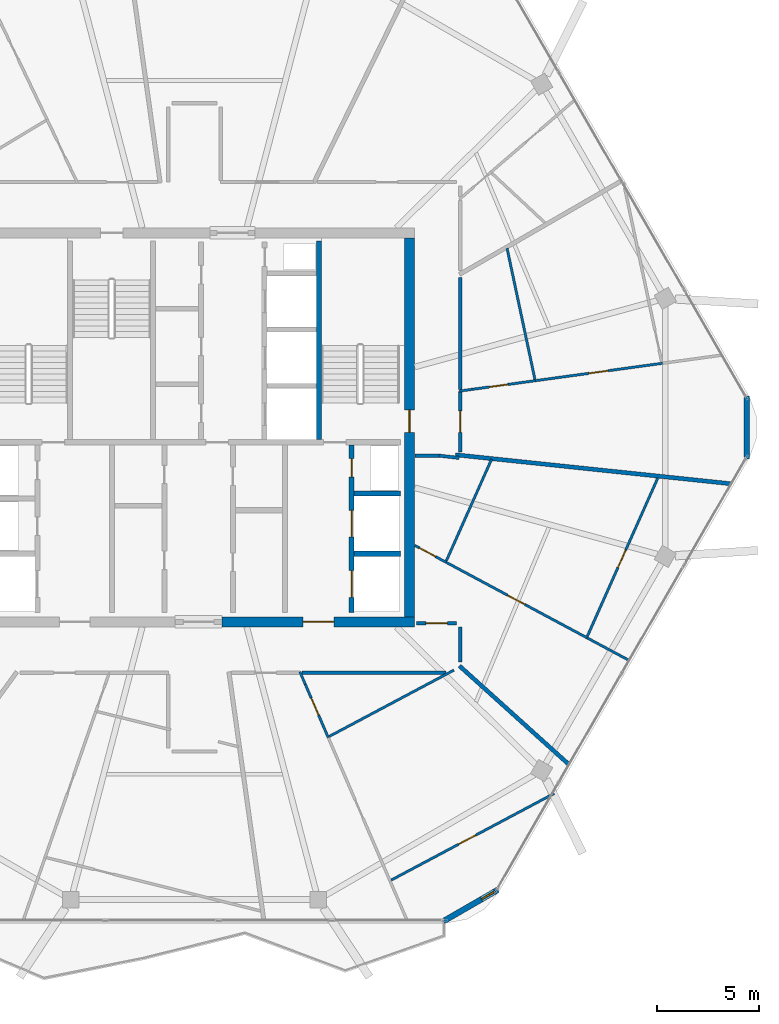
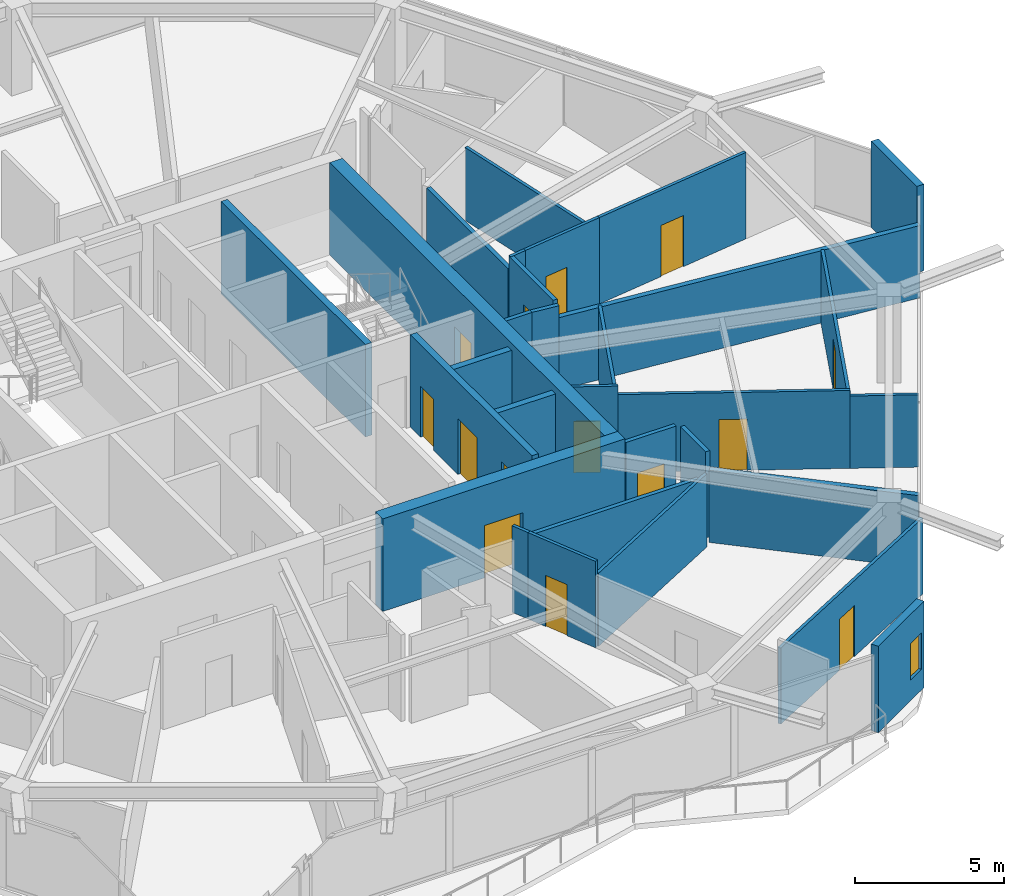
# One storey, part 16 of 20: 30 walls, 14 doors, 1 window, 15 openings.
"""IFC4 building model written with IfcOpenShell, lengths in metres."""

from ifc_helpers import new_model, si_unit, direction, frame, frame_2d, origin, place, context, subcontext, project, spatial, rectangle, extrude, material, layer, layer_set, type_object, element, fill, save


model = new_model("IFC4")

# Units and contexts
model_context = context("Model", 3, precision=1e-05, world=origin(), true_north=direction((0.0, 1.0)))
body_context = subcontext(model_context, "Body", "Model", "MODEL_VIEW")
ifc_project = project(units=[si_unit("LENGTHUNIT", "METRE"), si_unit("AREAUNIT", "SQUARE_METRE"), si_unit("VOLUMEUNIT", "CUBIC_METRE"), si_unit("PLANEANGLEUNIT", "RADIAN"), si_unit("MASSUNIT", "GRAM", prefix="KILO")], contexts=[model_context])

# Site, building, storey
site_placement = place(None, origin())
site = spatial("IfcSite", under=ifc_project, at=site_placement, CompositionType="ELEMENT")
building_placement = place(site_placement, origin())
building = spatial("IfcBuilding", under=site, at=building_placement, Name="Zuhravey Tower", CompositionType="ELEMENT")
storey_placement = place(building_placement, frame((0.0, 0.0, 312.0)))
storey = spatial("IfcBuildingStorey", under=building, at=storey_placement, Name="L79", CompositionType="ELEMENT", Elevation=312.0)

# Wall, opening, door
ifc_material_1 = material(Name="Concrete C50/60", Category="concrete")
ifc_layer_1 = layer(ifc_material_1, 0.5)
ifc_layer_set_1 = layer_set([ifc_layer_1], Name="Concrete C50/60")
wall_type_1 = type_object("IfcWallType", Name="Core Shear Wall 500", PredefinedType="SHEAR", material=ifc_layer_set_1)
wall_1_placement = place(storey_placement, frame((37.35009765625, 22.5, 0.0), z_axis=(0.0, 0.0, 1.0), x_axis=(1.0, 0.0, 0.0)))
wall_1 = element("IfcWall", 1, at=wall_1_placement, inside=storey, type_object=wall_type_1, Name="L79 South-East Core Shear Wall CW50", PredefinedType="SHEAR", context=body_context, shape_type="SweptSolid", body=[
    extrude(rectangle(XDim=9.39990234375, YDim=0.5, at=frame_2d((4.699951171875, 0.0))), origin(), (0.0, 0.0, 1.0), 3.800048828125),
])
opening_1_placement = place(wall_1_placement, frame((3.949951171875, 0.0, 0.0)))
opening_1 = element("IfcOpeningElement", 2, at=opening_1_placement, cuts=wall_1, Name="Opening FFD1", PredefinedType="OPENING", context=body_context, shape_type="SweptSolid", body=[
    extrude(rectangle(XDim=1.5, YDim=2.14990234375, at=frame_2d((0.75, 1.074951171875))), frame((0.0, 0.261962890625, 0.0), z_axis=(0.0, -1.0, 0.0), x_axis=(1.0, 0.0, 0.0)), (0.0, 0.0, 1.0), 0.52392578125),
])
ifc_material_2 = material(Name="Galvanised fire-rated steel leaf", Category="steel")
door_type_1 = type_object("IfcDoorType", Name="Firefighting Lobby Double Door 1500x2150", OperationType="DOUBLE_DOOR_SINGLE_SWING", PredefinedType="DOOR", material=ifc_material_2)
door_1_placement = place(opening_1_placement, origin())
door_1 = element("IfcDoor", 3, at=door_1_placement, inside=storey, type_object=door_type_1, Name="L79 Firefighting Lobby East Door", OperationType="DOUBLE_DOOR_SINGLE_SWING", OverallHeight=2.14990234375, OverallWidth=1.5, PredefinedType="DOOR", context=body_context, shape_type="SweptSolid", body=[
    extrude(rectangle(XDim=1.5, YDim=2.14990234375, at=frame_2d((0.75, 1.074951171875))), frame((0.0, 0.02490234375, 0.0), z_axis=(0.0, -1.0, 0.0), x_axis=(1.0, 0.0, 0.0)), (0.0, 0.0, 1.0), 0.050048828125),
])
fill(opening_1, door_1)

wall_2_placement = place(storey_placement, frame((46.5, 22.75, 0.0), z_axis=(0.0, 0.0, 1.0), x_axis=(0.0, 1.0, 0.0)))
wall_2 = element("IfcWall", 4, at=wall_2_placement, inside=storey, type_object=wall_type_1, Name="L79 East Core Shear Wall CW50", PredefinedType="SHEAR", context=body_context, shape_type="SweptSolid", body=[
    extrude(rectangle(XDim=18.5, YDim=0.5, at=frame_2d((9.25, 0.0))), origin(), (0.0, 0.0, 1.0), 3.800048828125),
])
opening_2_placement = place(wall_2_placement, frame((9.0, 0.0, 0.0)))
opening_2 = element("IfcOpeningElement", 5, at=opening_2_placement, cuts=wall_2, Name="Opening STD1", PredefinedType="OPENING", context=body_context, shape_type="SweptSolid", body=[
    extrude(rectangle(XDim=1.10009765625, YDim=2.14990234375, at=frame_2d((0.550048828125, 1.074951171875))), frame((0.0, 0.261962890625, 0.0), z_axis=(0.0, -1.0, 0.0), x_axis=(1.0, 0.0, 0.0)), (0.0, 0.0, 1.0), 0.52392578125),
])
door_type_2 = type_object("IfcDoorType", Name="Protected Stair Fire Door 1100x2150", OperationType="NOTDEFINED", PredefinedType="USERDEFINED", material=ifc_material_2)
door_2_placement = place(opening_2_placement, origin())
door_2 = element("IfcDoor", 6, at=door_2_placement, inside=storey, type_object=door_type_2, Name="L79 Stair ST2 Door", ObjectType="EXITDOOR", OperationType="SINGLE_SWING_RIGHT", OverallHeight=2.14990234375, OverallWidth=1.10009765625, PredefinedType="USERDEFINED", context=body_context, shape_type="SweptSolid", body=[
    extrude(rectangle(XDim=1.10009765625, YDim=2.14990234375, at=frame_2d((0.550048828125, 1.074951171875))), frame((0.0, 0.02490234375, 0.0), z_axis=(0.0, -1.0, 0.0), x_axis=(1.0, 0.0, 0.0)), (0.0, 0.0, 1.0), 0.050048828125),
])
fill(opening_2, door_2)

ifc_material_3 = material(Name="Gypsum fire-rated stud partition")
ifc_layer_2 = layer(ifc_material_3, 0.159912109375)
ifc_layer_set_2 = layer_set([ifc_layer_2], Name="Gypsum fire-rated stud partition")
wall_type_2 = type_object("IfcWallType", Name="Corridor Fire Partition 160", PredefinedType="PARTITIONING", material=ifc_layer_set_2)
wall_3_placement = place(storey_placement, frame((48.800048828125, 22.429931640625, 0.0), z_axis=(0.0, 0.0, 1.0), x_axis=(-1.0, 0.0, 0.0)))
wall_3 = element("IfcWall", 7, at=wall_3_placement, inside=storey, type_object=wall_type_2, Name="L79 IW16 Partition 043", PredefinedType="PARTITIONING", context=body_context, shape_type="SweptSolid", body=[
    extrude(rectangle(XDim=1.952880859375, YDim=0.159912109375, at=frame_2d((0.9765625, 0.0))), origin(), (0.0, 0.0, 1.0), 3.550048828125),
])
opening_3_placement = place(wall_3_placement, frame((0.451416015625, 0.0, 0.0)))
opening_3 = element("IfcOpeningElement", 8, at=opening_3_placement, cuts=wall_3, Name="Opening APD1", PredefinedType="OPENING", context=body_context, shape_type="SweptSolid", body=[
    extrude(rectangle(XDim=1.050048828125, YDim=2.14990234375, at=frame_2d((0.52490234375, 1.074951171875))), frame((0.0, 0.092041015625, 0.0), z_axis=(0.0, -1.0, 0.0), x_axis=(1.0, 0.0, 0.0)), (0.0, 0.0, 1.0), 0.183837890625),
])
ifc_material_4 = material(Name="Solid-core oak fire-rated leaf")
door_type_3 = type_object("IfcDoorType", Name="Apartment Entrance Fire Door 1050x2150", OperationType="NOTDEFINED", PredefinedType="DOOR", material=ifc_material_4)
door_3_placement = place(opening_3_placement, origin())
door_3 = element("IfcDoor", 9, at=door_3_placement, inside=storey, type_object=door_type_3, Name="L79 Door 043.1", OperationType="SINGLE_SWING_LEFT", OverallHeight=2.14990234375, OverallWidth=1.050048828125, PredefinedType="DOOR", context=body_context, shape_type="SweptSolid", body=[
    extrude(rectangle(XDim=1.050048828125, YDim=2.14990234375, at=frame_2d((0.52490234375, 1.074951171875))), frame((0.0, 0.02490234375, 0.0), z_axis=(0.0, -1.0, 0.0), x_axis=(1.0, 0.0, 0.0)), (0.0, 0.0, 1.0), 0.050048828125),
])
fill(opening_3, door_3)

wall_4_placement = place(storey_placement, frame((48.97998046875, 30.800048828125, 0.0), z_axis=(0.0, 0.0, 1.0), x_axis=(0.0, 1.0, 0.0)))
wall_4 = element("IfcWall", 10, at=wall_4_placement, inside=storey, type_object=wall_type_2, Name="L79 IW16 Partition 047", PredefinedType="PARTITIONING", context=body_context, shape_type="SweptSolid", body=[
    extrude(rectangle(XDim=2.957763671875, YDim=0.159912109375, at=frame_2d((1.47900390625, 0.0))), origin(), (0.0, 0.0, 1.0), 3.550048828125),
])
opening_4_placement = place(wall_4_placement, frame((0.953857421875, 0.0, 0.0)))
opening_4 = element("IfcOpeningElement", 11, at=opening_4_placement, cuts=wall_4, Name="Opening APD1", PredefinedType="OPENING", context=body_context, shape_type="SweptSolid", body=[
    extrude(rectangle(XDim=1.050048828125, YDim=2.14990234375, at=frame_2d((0.52490234375, 1.074951171875))), frame((0.0, 0.092041015625, 0.0), z_axis=(0.0, -1.0, 0.0), x_axis=(1.0, 0.0, 0.0)), (0.0, 0.0, 1.0), 0.183837890625),
])
door_4_placement = place(opening_4_placement, frame((1.050048828125, 0.0, 0.0), z_axis=(0.0, 0.0, 1.0), x_axis=(-1.0, 0.0, 0.0)))
door_4 = element("IfcDoor", 12, at=door_4_placement, inside=storey, type_object=door_type_3, Name="L79 Door 047.1", OperationType="SINGLE_SWING_LEFT", OverallHeight=2.14990234375, OverallWidth=1.050048828125, PredefinedType="DOOR", context=body_context, shape_type="SweptSolid", body=[
    extrude(rectangle(XDim=1.050048828125, YDim=2.14990234375, at=frame_2d((0.52490234375, 1.074951171875))), frame((0.0, 0.02490234375, 0.0), z_axis=(0.0, -1.0, 0.0), x_axis=(1.0, 0.0, 0.0)), (0.0, 0.0, 1.0), 0.050048828125),
])
fill(opening_4, door_4)

# Walls
wall_5_placement = place(storey_placement, frame((41.23828125, 20.02001953125, 0.0), z_axis=(0.0, 0.0, 1.0), x_axis=(1.0, 0.0, 0.0)))
element("IfcWall", 13, at=wall_5_placement, inside=storey, type_object=wall_type_2, Name="L79 IW16 Partition 107", PredefinedType="PARTITIONING", context=body_context, shape_type="SweptSolid", body=[
    extrude(rectangle(XDim=7.054931640625, YDim=0.159912109375, at=frame_2d((3.52734375, 0.0))), origin(), (0.0, 0.0, 1.0), 3.0),
])
wall_6_placement = place(storey_placement, frame((48.97998046875, 20.54296875, 0.0), z_axis=(0.0, 0.0, 1.0), x_axis=(0.0, 1.0, 0.0)))
element("IfcWall", 14, at=wall_6_placement, inside=storey, type_object=wall_type_2, Name="L79 IW16 Partition 108", PredefinedType="PARTITIONING", context=body_context, shape_type="SweptSolid", body=[
    extrude(rectangle(XDim=1.70703125, YDim=0.159912109375, at=frame_2d((0.853515625, 0.0))), origin(), (0.0, 0.0, 1.0), 3.550048828125),
])
wall_7_placement = place(storey_placement, frame((46.77001953125, 30.6201171875, 0.0), z_axis=(0.0, 0.0, 1.0), x_axis=(1.0, 0.0, 0.0)))
element("IfcWall", 15, at=wall_7_placement, inside=storey, type_object=wall_type_2, Name="L79 IW16 Partition 109", PredefinedType="PARTITIONING", context=body_context, shape_type="SweptSolid", body=[
    extrude(rectangle(XDim=1.165283203125, YDim=0.159912109375, at=frame_2d((0.58251953125, 0.0))), origin(), (0.0, 0.0, 1.0), 3.550048828125),
])
wall_8_placement = place(storey_placement, frame((47.935302734375, 30.6201171875, 0.0), z_axis=(0.0, 0.0, 1.0), x_axis=(0.99355156153, -0.113381191478, 0.0)))
element("IfcWall", 16, at=wall_8_placement, inside=storey, type_object=wall_type_2, Name="L79 IW16 Partition 110", PredefinedType="PARTITIONING", context=body_context, shape_type="SweptSolid", body=[
    extrude(rectangle(XDim=0.9990234375, YDim=0.159912109375, at=frame_2d((0.49951171875, 0.0))), origin(), (0.0, 0.0, 1.0), 3.550048828125),
])
wall_9_placement = place(storey_placement, frame((48.97998046875, 33.8466796875, 0.0), z_axis=(0.0, 0.0, 1.0), x_axis=(0.0, 1.0, 0.0)))
element("IfcWall", 17, at=wall_9_placement, inside=storey, type_object=wall_type_2, Name="L79 IW16 Partition 111", PredefinedType="PARTITIONING", context=body_context, shape_type="SweptSolid", body=[
    extrude(rectangle(XDim=5.47412109375, YDim=0.159912109375, at=frame_2d((2.737060546875, 0.0))), origin(), (0.0, 0.0, 1.0), 3.0),
])

# Wall, opening, window
ifc_material_5 = material(Name="Precast concrete C40/50", Category="concrete")
ifc_layer_3 = layer(ifc_material_5, 0.280029296875)
ifc_layer_set_3 = layer_set([ifc_layer_3], Name="Precast concrete C40/50")
wall_type_3 = type_object("IfcWallType", Name="Crown Architectural Wall 280", PredefinedType="SOLIDWALL", material=ifc_layer_set_3)
wall_10_placement = place(storey_placement, frame((50.811279296875, 9.410888671875, 0.0), z_axis=(0.0, 0.0, 1.0), x_axis=(-0.866023752521, -0.50000286006, 0.0)))
wall_10 = element("IfcWall", 18, at=wall_10_placement, inside=storey, type_object=wall_type_3, Name="L79 Rounded Corner Closure Wall EW28-02", PredefinedType="SOLIDWALL", context=body_context, shape_type="SweptSolid", body=[
    extrude(rectangle(XDim=3.06494140625, YDim=0.280029296875, at=frame_2d((1.532470703125, 0.0))), origin(), (0.0, 0.0, 1.0), 3.550048828125),
])
opening_5_placement = place(wall_10_placement, frame((0.1728515625, 0.0, 0.85009765625)))
opening_5 = element("IfcOpeningElement", 19, at=opening_5_placement, cuts=wall_10, Name="Opening WN5", PredefinedType="OPENING", context=body_context, shape_type="SweptSolid", body=[
    extrude(rectangle(XDim=0.75, YDim=1.5, at=frame_2d((0.375, 0.75))), frame((0.0, 0.152099609375, 0.0), z_axis=(0.0, -1.0, 0.0), x_axis=(1.0, 0.0, 0.0)), (0.0, 0.0, 1.0), 0.303955078125),
])
ifc_material_6 = material(Name="Thermally broken aluminium and triple low-E glass", Category="aluminium")
window_type = type_object("IfcWindowType", Name="Residential Corner Casement Window 750x1500", PartitioningType="SINGLE_PANEL", PredefinedType="WINDOW", material=ifc_material_6)
window_placement = place(opening_5_placement, origin())
window = element("IfcWindow", 20, at=window_placement, inside=storey, type_object=window_type, Name="L79 Corner Casement Window WN5-02.1", OverallHeight=1.5, OverallWidth=0.75, PartitioningType="SINGLE_PANEL", PredefinedType="WINDOW", context=body_context, shape_type="SweptSolid", body=[
    extrude(rectangle(XDim=0.75, YDim=1.5, at=frame_2d((0.375, 0.75))), frame((0.0, 0.030029296875, 0.0), z_axis=(0.0, -1.0, 0.0), x_axis=(1.0, 0.0, 0.0)), (0.0, 0.0, 1.0), 0.06005859375),
])
fill(opening_5, window)

# Walls
wall_11_placement = place(storey_placement, frame((62.968505859375, 33.532470703125, 0.0), z_axis=(0.0, 0.0, 1.0), x_axis=(0.0, -1.0, 0.0)))
element("IfcWall", 21, at=wall_11_placement, inside=storey, type_object=wall_type_3, Name="L79 Rounded Corner Closure Wall EW28-12", PredefinedType="SOLIDWALL", context=body_context, shape_type="SweptSolid", body=[
    extrude(rectangle(XDim=3.06494140625, YDim=0.280029296875, at=frame_2d((1.532470703125, 0.0))), origin(), (0.0, 0.0, 1.0), 3.550048828125),
])
ifc_layer_4 = layer(ifc_material_1, 0.25)
ifc_layer_set_4 = layer_set([ifc_layer_4], Name="Concrete C50/60")
wall_type_4 = type_object("IfcWallType", Name="Firefighting Shaft & Stair Wall 250", PredefinedType="SOLIDWALL", material=ifc_layer_set_4)
wall_12_placement = place(storey_placement, frame((42.074951171875, 31.39990234375, 0.0), z_axis=(0.0, 0.0, 1.0), x_axis=(0.0, 1.0, 0.0)))
element("IfcWall", 22, at=wall_12_placement, inside=storey, type_object=wall_type_4, Name="L79 FW25 Shaft Wall 006", PredefinedType="SOLIDWALL", context=body_context, shape_type="SweptSolid", body=[
    extrude(rectangle(XDim=9.7001953125, YDim=0.25, at=frame_2d((4.85009765625, 0.0))), origin(), (0.0, 0.0, 1.0), 3.800048828125),
])
for number, where, z_axis, x_axis, name in (
    (23, (43.800048828125, 25.824951171875, 0.0), (0.0, 0.0, 1.0), (1.0, 0.0, 0.0), "L79 FW25 Shaft Wall 017"),
    (24, (43.800048828125, 28.77490234375, 0.0), (0.0, 0.0, 1.0), (1.0, 0.0, 0.0), "L79 FW25 Shaft Wall 018"),
):
    element("IfcWall", number, at=place(storey_placement, frame(where, z_axis=z_axis, x_axis=x_axis)), inside=storey, type_object=wall_type_4, Name=name, PredefinedType="SOLIDWALL", context=body_context, shape_type="SweptSolid", body=[
        extrude(rectangle(XDim=2.25, YDim=0.25, at=frame_2d((1.125, 0.0))), origin(), (0.0, 0.0, 1.0), 3.800048828125),
    ])

# Wall, openings, doors
wall_13_placement = place(storey_placement, frame((43.675048828125, 22.949951171875, 0.0), z_axis=(0.0, 0.0, 1.0), x_axis=(0.0, 1.0, 0.0)))
wall_13 = element("IfcWall", 25, at=wall_13_placement, inside=storey, type_object=wall_type_4, Name="L79 FW25 Shaft Wall 019", PredefinedType="SOLIDWALL", context=body_context, shape_type="SweptSolid", body=[
    extrude(rectangle(XDim=8.199951171875, YDim=0.25, at=frame_2d((4.10009765625, 0.0))), origin(), (0.0, 0.0, 1.0), 3.800048828125),
])
opening_6_placement = place(wall_13_placement, frame((0.75, 0.0, 0.0)))
opening_6 = element("IfcOpeningElement", 26, at=opening_6_placement, cuts=wall_13, Name="Opening LD2", PredefinedType="OPENING", context=body_context, shape_type="SweptSolid", body=[
    extrude(rectangle(XDim=1.300048828125, YDim=2.300048828125, at=frame_2d((0.64990234375, 1.14990234375))), frame((0.0, 0.136962890625, 0.0), z_axis=(0.0, -1.0, 0.0), x_axis=(1.0, 0.0, 0.0)), (0.0, 0.0, 1.0), 0.27392578125),
])
opening_7_placement = place(wall_13_placement, frame((3.699951171875, 0.0, 0.0)))
opening_7 = element("IfcOpeningElement", 27, at=opening_7_placement, cuts=wall_13, Name="Opening LD2", PredefinedType="OPENING", context=body_context, shape_type="SweptSolid", body=[
    extrude(rectangle(XDim=1.300048828125, YDim=2.300048828125, at=frame_2d((0.64990234375, 1.14990234375))), frame((0.0, 0.136962890625, 0.0), z_axis=(0.0, -1.0, 0.0), x_axis=(1.0, 0.0, 0.0)), (0.0, 0.0, 1.0), 0.27392578125),
])
opening_8_placement = place(wall_13_placement, frame((6.6201171875, 0.0, 0.0)))
opening_8 = element("IfcOpeningElement", 28, at=opening_8_placement, cuts=wall_13, Name="Opening RSD1", PredefinedType="OPENING", context=body_context, shape_type="SweptSolid", body=[
    extrude(rectangle(XDim=0.89990234375, YDim=2.10009765625, at=frame_2d((0.449951171875, 1.050048828125))), frame((0.0, 0.136962890625, 0.0), z_axis=(0.0, -1.0, 0.0), x_axis=(1.0, 0.0, 0.0)), (0.0, 0.0, 1.0), 0.27392578125),
])
ifc_material_7 = material(Name="Brushed stainless steel", Category="steel")
door_type_4 = type_object("IfcDoorType", Name="Freight & Stretcher Lift Sliding Door 1300x2300", OperationType="DOUBLE_DOOR_SLIDING", PredefinedType="DOOR", material=ifc_material_7)
door_5_placement = place(opening_6_placement, origin())
door_5 = element("IfcDoor", 29, at=door_5_placement, inside=storey, type_object=door_type_4, Name="L79 Lift FF2 Landing Door", OperationType="DOUBLE_DOOR_SLIDING", OverallHeight=2.300048828125, OverallWidth=1.300048828125, PredefinedType="DOOR", context=body_context, shape_type="SweptSolid", body=[
    extrude(rectangle(XDim=1.300048828125, YDim=2.300048828125, at=frame_2d((0.64990234375, 1.14990234375))), frame((0.0, 0.02490234375, 0.0), z_axis=(0.0, -1.0, 0.0), x_axis=(1.0, 0.0, 0.0)), (0.0, 0.0, 1.0), 0.050048828125),
])
fill(opening_6, door_5)
door_6_placement = place(opening_7_placement, origin())
door_6 = element("IfcDoor", 30, at=door_6_placement, inside=storey, type_object=door_type_4, Name="L79 Lift SV1 Landing Door", OperationType="DOUBLE_DOOR_SLIDING", OverallHeight=2.300048828125, OverallWidth=1.300048828125, PredefinedType="DOOR", context=body_context, shape_type="SweptSolid", body=[
    extrude(rectangle(XDim=1.300048828125, YDim=2.300048828125, at=frame_2d((0.64990234375, 1.14990234375))), frame((0.0, 0.02490234375, 0.0), z_axis=(0.0, -1.0, 0.0), x_axis=(1.0, 0.0, 0.0)), (0.0, 0.0, 1.0), 0.050048828125),
])
fill(opening_7, door_6)
ifc_material_8 = material(Name="Galvanised fire-rated steel access leaf", Category="steel")
door_type_5 = type_object("IfcDoorType", Name="Riser & Shaft Access Fire Door 900x2100", OperationType="NOTDEFINED", PredefinedType="DOOR", material=ifc_material_8)
door_7_placement = place(opening_8_placement, origin())
door_7 = element("IfcDoor", 31, at=door_7_placement, inside=storey, type_object=door_type_5, Name="L79 Plumbing Riser Door", OperationType="SINGLE_SWING_LEFT", OverallHeight=2.10009765625, OverallWidth=0.89990234375, PredefinedType="DOOR", context=body_context, shape_type="SweptSolid", body=[
    extrude(rectangle(XDim=0.89990234375, YDim=2.10009765625, at=frame_2d((0.449951171875, 1.050048828125))), frame((0.0, 0.02490234375, 0.0), z_axis=(0.0, -1.0, 0.0), x_axis=(1.0, 0.0, 0.0)), (0.0, 0.0, 1.0), 0.050048828125),
])
fill(opening_8, door_7)

# Walls
ifc_material_9 = material(Name="Gypsum double-stud party assembly")
ifc_layer_5 = layer(ifc_material_9, 0.199951171875)
ifc_layer_set_5 = layer_set([ifc_layer_5], Name="Gypsum double-stud party assembly")
wall_type_5 = type_object("IfcWallType", Name="Inter-Tenancy Party Wall 200", PredefinedType="PARTITIONING", material=ifc_layer_set_5)
wall_14_placement = place(storey_placement, frame((48.93994140625, 20.348876953125, 0.0), z_axis=(0.0, 0.0, 1.0), x_axis=(0.74315080538, -0.669123964944, 0.0)))
element("IfcWall", 32, at=wall_14_placement, inside=storey, type_object=wall_type_5, Name="L79 IW20 Partition 083", PredefinedType="PARTITIONING", context=body_context, shape_type="SweptSolid", body=[
    extrude(rectangle(XDim=7.199462890625, YDim=0.199951171875, at=frame_2d((3.599609375, 0.0))), origin(), (0.0, 0.0, 1.0), 2.969970703125),
])
wall_15_placement = place(storey_placement, frame((48.749267578125, 30.659912109375, 0.0), z_axis=(0.0, 0.0, 1.0), x_axis=(0.994522047609, -0.104527014781, 0.0)))
element("IfcWall", 33, at=wall_15_placement, inside=storey, type_object=wall_type_5, Name="L79 IW20 Partition 086", PredefinedType="PARTITIONING", context=body_context, shape_type="SweptSolid", body=[
    extrude(rectangle(XDim=13.532958984375, YDim=0.199951171875, at=frame_2d((6.7666015625, 0.0))), origin(), (0.0, 0.0, 1.0), 2.969970703125),
])

# Wall, opening, door
ifc_material_10 = material(Name="Gypsum metal-stud partition")
ifc_layer_6 = layer(ifc_material_10, 0.1201171875)
ifc_layer_set_6 = layer_set([ifc_layer_6], Name="Gypsum metal-stud partition")
wall_type_6 = type_object("IfcWallType", Name="Unit Internal Partition 120", PredefinedType="PARTITIONING", material=ifc_layer_set_6)
wall_16_placement = place(storey_placement, frame((41.41015625, 19.449951171875, 0.0), z_axis=(0.0, 0.0, 1.0), x_axis=(0.395844398044, -0.918317598948, 0.0)))
wall_16 = element("IfcWall", 34, at=wall_16_placement, inside=storey, type_object=wall_type_6, Name="L79 IW12 Partition 036", PredefinedType="PARTITIONING", context=body_context, shape_type="SweptSolid", body=[
    extrude(rectangle(XDim=2.830322265625, YDim=0.1201171875, at=frame_2d((1.4150390625, 0.0))), origin(), (0.0, 0.0, 1.0), 3.550048828125),
])
opening_9_placement = place(wall_16_placement, frame((0.73876953125, 0.0, 0.0)))
opening_9 = element("IfcOpeningElement", 35, at=opening_9_placement, cuts=wall_16, Name="Opening WCD1", PredefinedType="OPENING", context=body_context, shape_type="SweptSolid", body=[
    extrude(rectangle(XDim=0.89990234375, YDim=2.10009765625, at=frame_2d((0.449951171875, 1.050048828125))), frame((0.0, 0.072021484375, 0.0), z_axis=(0.0, -1.0, 0.0), x_axis=(1.0, 0.0, 0.0)), (0.0, 0.0, 1.0), 0.14404296875),
])
ifc_material_11 = material(Name="Moisture-resistant timber leaf", Category="wood")
door_type_6 = type_object("IfcDoorType", Name="Bathroom & WC Internal Door 900x2100", OperationType="NOTDEFINED", PredefinedType="DOOR", material=ifc_material_11)
door_8_placement = place(opening_9_placement, origin())
door_8 = element("IfcDoor", 36, at=door_8_placement, inside=storey, type_object=door_type_6, Name="Apartment L79-05 Bathroom Door", OperationType="SINGLE_SWING_RIGHT", OverallHeight=2.10009765625, OverallWidth=0.89990234375, PredefinedType="DOOR", context=body_context, shape_type="SweptSolid", body=[
    extrude(rectangle(XDim=0.89990234375, YDim=2.10009765625, at=frame_2d((0.449951171875, 1.050048828125))), frame((0.0, 0.02490234375, 0.0), z_axis=(0.0, -1.0, 0.0), x_axis=(1.0, 0.0, 0.0)), (0.0, 0.0, 1.0), 0.050048828125),
])
fill(opening_9, door_8)

wall_17_placement = place(storey_placement, frame((45.606689453125, 9.88720703125, 0.0), z_axis=(0.0, 0.0, 1.0), x_axis=(0.882942125216, 0.469481845782, 0.0)))
wall_17 = element("IfcWall", 37, at=wall_17_placement, inside=storey, type_object=wall_type_6, Name="L79 IW12 Partition 038", PredefinedType="PARTITIONING", context=body_context, shape_type="SweptSolid", body=[
    extrude(rectangle(XDim=9.0166015625, YDim=0.1201171875, at=frame_2d((4.50830078125, 0.0))), origin(), (0.0, 0.0, 1.0), 3.1220703125),
])
opening_10_placement = place(wall_17_placement, frame((3.72900390625, 0.0, 0.0)))
opening_10 = element("IfcOpeningElement", 38, at=opening_10_placement, cuts=wall_17, Name="Opening IND1", PredefinedType="OPENING", context=body_context, shape_type="SweptSolid", body=[
    extrude(rectangle(XDim=0.949951171875, YDim=2.10009765625, at=frame_2d((0.47509765625, 1.050048828125))), frame((0.0, 0.072021484375, 0.0), z_axis=(0.0, -1.0, 0.0), x_axis=(1.0, 0.0, 0.0)), (0.0, 0.0, 1.0), 0.14404296875),
])
ifc_material_12 = material(Name="Painted engineered timber leaf", Category="wood")
door_type_7 = type_object("IfcDoorType", Name="Internal Room & Bedroom Door 950x2100", OperationType="NOTDEFINED", PredefinedType="DOOR", material=ifc_material_12)
door_9_placement = place(opening_10_placement, frame((0.949951171875, 0.0, 0.0), z_axis=(0.0, 0.0, 1.0), x_axis=(-1.0, 0.0, 0.0)))
door_9 = element("IfcDoor", 39, at=door_9_placement, inside=storey, type_object=door_type_7, Name="Apartment L79-05 Bedroom 1 Door", OperationType="SINGLE_SWING_RIGHT", OverallHeight=2.10009765625, OverallWidth=0.949951171875, PredefinedType="DOOR", context=body_context, shape_type="SweptSolid", body=[
    extrude(rectangle(XDim=0.949951171875, YDim=2.10009765625, at=frame_2d((0.47509765625, 1.050048828125))), frame((0.0, 0.02490234375, 0.0), z_axis=(0.0, -1.0, 0.0), x_axis=(1.0, 0.0, 0.0)), (0.0, 0.0, 1.0), 0.050048828125),
])
fill(opening_10, door_9)

wall_18_placement = place(storey_placement, frame((46.758056640625, 26.231689453125, 0.0), z_axis=(0.0, 0.0, 1.0), x_axis=(0.881229995183, -0.472687735814, 0.0)))
wall_18 = element("IfcWall", 40, at=wall_18_placement, inside=storey, type_object=wall_type_6, Name="L79 IW12 Partition 040", PredefinedType="PARTITIONING", context=body_context, shape_type="SweptSolid", body=[
    extrude(rectangle(XDim=1.7431640625, YDim=0.1201171875, at=frame_2d((0.87158203125, 0.0))), origin(), (0.0, 0.0, 1.0), 3.550048828125),
])
opening_11_placement = place(wall_18_placement, frame((0.260498046875, 0.0, 0.0)))
opening_11 = element("IfcOpeningElement", 41, at=opening_11_placement, cuts=wall_18, Name="Opening WCD1", PredefinedType="OPENING", context=body_context, shape_type="SweptSolid", body=[
    extrude(rectangle(XDim=0.89990234375, YDim=2.10009765625, at=frame_2d((0.449951171875, 1.050048828125))), frame((0.0, 0.072021484375, 0.0), z_axis=(0.0, -1.0, 0.0), x_axis=(1.0, 0.0, 0.0)), (0.0, 0.0, 1.0), 0.14404296875),
])
door_10_placement = place(opening_11_placement, origin())
door_10 = element("IfcDoor", 42, at=door_10_placement, inside=storey, type_object=door_type_6, Name="Apartment L79-06 Bathroom Door", OperationType="SINGLE_SWING_RIGHT", OverallHeight=2.10009765625, OverallWidth=0.89990234375, PredefinedType="DOOR", context=body_context, shape_type="SweptSolid", body=[
    extrude(rectangle(XDim=0.89990234375, YDim=2.10009765625, at=frame_2d((0.449951171875, 1.050048828125))), frame((0.0, 0.02490234375, 0.0), z_axis=(0.0, -1.0, 0.0), x_axis=(1.0, 0.0, 0.0)), (0.0, 0.0, 1.0), 0.050048828125),
])
fill(opening_11, door_10)

wall_19_placement = place(storey_placement, frame((48.294189453125, 25.40771484375, 0.0), z_axis=(0.0, 0.0, 1.0), x_axis=(0.881316812489, -0.472525846937, 0.0)))
wall_19 = element("IfcWall", 43, at=wall_19_placement, inside=storey, type_object=wall_type_6, Name="L79 IW12 Partition 041", PredefinedType="PARTITIONING", context=body_context, shape_type="SweptSolid", body=[
    extrude(rectangle(XDim=7.810546875, YDim=0.1201171875, at=frame_2d((3.9052734375, 0.0))), origin(), (0.0, 0.0, 1.0), 3.199951171875),
])
opening_12_placement = place(wall_19_placement, frame((3.4052734375, 0.0, 0.0)))
opening_12 = element("IfcOpeningElement", 44, at=opening_12_placement, cuts=wall_19, Name="Opening IND1", PredefinedType="OPENING", context=body_context, shape_type="SweptSolid", body=[
    extrude(rectangle(XDim=0.949951171875, YDim=2.10009765625, at=frame_2d((0.47509765625, 1.050048828125))), frame((0.0, 0.072021484375, 0.0), z_axis=(0.0, -1.0, 0.0), x_axis=(1.0, 0.0, 0.0)), (0.0, 0.0, 1.0), 0.14404296875),
])
door_11_placement = place(opening_12_placement, origin())
door_11 = element("IfcDoor", 45, at=door_11_placement, inside=storey, type_object=door_type_7, Name="Apartment L79-06 Home Office Door", OperationType="SINGLE_SWING_LEFT", OverallHeight=2.10009765625, OverallWidth=0.949951171875, PredefinedType="DOOR", context=body_context, shape_type="SweptSolid", body=[
    extrude(rectangle(XDim=0.949951171875, YDim=2.10009765625, at=frame_2d((0.47509765625, 1.050048828125))), frame((0.0, 0.02490234375, 0.0), z_axis=(0.0, -1.0, 0.0), x_axis=(1.0, 0.0, 0.0)), (0.0, 0.0, 1.0), 0.050048828125),
])
fill(opening_12, door_11)

wall_20_placement = place(storey_placement, frame((55.183349609375, 21.791015625, 0.0), z_axis=(0.0, 0.0, 1.0), x_axis=(0.406737913361, 0.913544892074, 0.0)))
wall_20 = element("IfcWall", 46, at=wall_20_placement, inside=storey, type_object=wall_type_6, Name="L79 IW12 Partition 042", PredefinedType="PARTITIONING", context=body_context, shape_type="SweptSolid", body=[
    extrude(rectangle(XDim=8.46337890625, YDim=0.1201171875, at=frame_2d((4.231689453125, 0.0))), origin(), (0.0, 0.0, 1.0), 3.0),
])
opening_13_placement = place(wall_20_placement, frame((3.67236328125, 0.0, 0.0)))
opening_13 = element("IfcOpeningElement", 47, at=opening_13_placement, cuts=wall_20, Name="Opening IND1", PredefinedType="OPENING", context=body_context, shape_type="SweptSolid", body=[
    extrude(rectangle(XDim=0.949951171875, YDim=2.10009765625, at=frame_2d((0.47509765625, 1.050048828125))), frame((0.0, 0.072021484375, 0.0), z_axis=(0.0, -1.0, 0.0), x_axis=(1.0, 0.0, 0.0)), (0.0, 0.0, 1.0), 0.14404296875),
])
door_12_placement = place(opening_13_placement, frame((0.949951171875, 0.0, 0.0), z_axis=(0.0, 0.0, 1.0), x_axis=(-1.0, 0.0, 0.0)))
door_12 = element("IfcDoor", 48, at=door_12_placement, inside=storey, type_object=door_type_7, Name="Apartment L79-06 Bedroom 1 Door", OperationType="SINGLE_SWING_RIGHT", OverallHeight=2.10009765625, OverallWidth=0.949951171875, PredefinedType="DOOR", context=body_context, shape_type="SweptSolid", body=[
    extrude(rectangle(XDim=0.949951171875, YDim=2.10009765625, at=frame_2d((0.47509765625, 1.050048828125))), frame((0.0, 0.02490234375, 0.0), z_axis=(0.0, -1.0, 0.0), x_axis=(1.0, 0.0, 0.0)), (0.0, 0.0, 1.0), 0.050048828125),
])
fill(opening_13, door_12)

wall_21_placement = place(storey_placement, frame((49.550048828125, 33.856201171875, 0.0), z_axis=(0.0, 0.0, 1.0), x_axis=(0.990754403165, 0.135667654987, 0.0)))
wall_21 = element("IfcWall", 49, at=wall_21_placement, inside=storey, type_object=wall_type_6, Name="L79 IW12 Partition 044", PredefinedType="PARTITIONING", context=body_context, shape_type="SweptSolid", body=[
    extrude(rectangle(XDim=3.143798828125, YDim=0.1201171875, at=frame_2d((1.57177734375, 0.0))), origin(), (0.0, 0.0, 1.0), 3.550048828125),
])
opening_14_placement = place(wall_21_placement, frame((0.870361328125, 0.0, 0.0)))
opening_14 = element("IfcOpeningElement", 50, at=opening_14_placement, cuts=wall_21, Name="Opening WCD1", PredefinedType="OPENING", context=body_context, shape_type="SweptSolid", body=[
    extrude(rectangle(XDim=0.89990234375, YDim=2.10009765625, at=frame_2d((0.449951171875, 1.050048828125))), frame((0.0, 0.072021484375, 0.0), z_axis=(0.0, -1.0, 0.0), x_axis=(1.0, 0.0, 0.0)), (0.0, 0.0, 1.0), 0.14404296875),
])
door_13_placement = place(opening_14_placement, origin())
door_13 = element("IfcDoor", 51, at=door_13_placement, inside=storey, type_object=door_type_6, Name="Apartment L79-07 Bathroom Door", OperationType="SINGLE_SWING_RIGHT", OverallHeight=2.10009765625, OverallWidth=0.89990234375, PredefinedType="DOOR", context=body_context, shape_type="SweptSolid", body=[
    extrude(rectangle(XDim=0.89990234375, YDim=2.10009765625, at=frame_2d((0.449951171875, 1.050048828125))), frame((0.0, 0.02490234375, 0.0), z_axis=(0.0, -1.0, 0.0), x_axis=(1.0, 0.0, 0.0)), (0.0, 0.0, 1.0), 0.050048828125),
])
fill(opening_14, door_13)

wall_22_placement = place(storey_placement, frame((52.664794921875, 34.28271484375, 0.0), z_axis=(0.0, 0.0, 1.0), x_axis=(0.990745092284, 0.135735633182, 0.0)))
wall_22 = element("IfcWall", 52, at=wall_22_placement, inside=storey, type_object=wall_type_6, Name="L79 IW12 Partition 045", PredefinedType="PARTITIONING", context=body_context, shape_type="SweptSolid", body=[
    extrude(rectangle(XDim=6.24853515625, YDim=0.1201171875, at=frame_2d((3.124267578125, 0.0))), origin(), (0.0, 0.0, 1.0), 3.550048828125),
])
opening_15_placement = place(wall_22_placement, frame((2.624267578125, 0.0, 0.0)))
opening_15 = element("IfcOpeningElement", 53, at=opening_15_placement, cuts=wall_22, Name="Opening IND1", PredefinedType="OPENING", context=body_context, shape_type="SweptSolid", body=[
    extrude(rectangle(XDim=0.949951171875, YDim=2.10009765625, at=frame_2d((0.47509765625, 1.050048828125))), frame((0.0, 0.072021484375, 0.0), z_axis=(0.0, -1.0, 0.0), x_axis=(1.0, 0.0, 0.0)), (0.0, 0.0, 1.0), 0.14404296875),
])
door_14_placement = place(opening_15_placement, origin())
door_14 = element("IfcDoor", 54, at=door_14_placement, inside=storey, type_object=door_type_7, Name="Apartment L79-07 Home Office Door", OperationType="SINGLE_SWING_LEFT", OverallHeight=2.10009765625, OverallWidth=0.949951171875, PredefinedType="DOOR", context=body_context, shape_type="SweptSolid", body=[
    extrude(rectangle(XDim=0.949951171875, YDim=2.10009765625, at=frame_2d((0.47509765625, 1.050048828125))), frame((0.0, 0.02490234375, 0.0), z_axis=(0.0, -1.0, 0.0), x_axis=(1.0, 0.0, 0.0)), (0.0, 0.0, 1.0), 0.050048828125),
])
fill(opening_15, door_14)

# Walls
wall_23_placement = place(storey_placement, frame((41.14599609375, 20.06298828125, 0.0), z_axis=(0.0, 0.0, 1.0), x_axis=(0.395728306554, -0.918367631938, 0.0)))
element("IfcWall", 55, at=wall_23_placement, inside=storey, type_object=wall_type_6, Name="L79 IW12 Partition 080", PredefinedType="PARTITIONING", context=body_context, shape_type="SweptSolid", body=[
    extrude(rectangle(XDim=0.66748046875, YDim=0.1201171875, at=frame_2d((0.333740234375, 0.0))), origin(), (0.0, 0.0, 1.0), 3.550048828125),
])
wall_24_placement = place(storey_placement, frame((42.5810546875, 16.90576171875, 0.0), z_axis=(0.0, 0.0, 1.0), x_axis=(0.882955532535, 0.469456630122, 0.0)))
element("IfcWall", 56, at=wall_24_placement, inside=storey, type_object=wall_type_6, Name="L79 IW12 Partition 082", PredefinedType="PARTITIONING", context=body_context, shape_type="SweptSolid", body=[
    extrude(rectangle(XDim=6.88916015625, YDim=0.1201171875, at=frame_2d((3.444580078125, 0.0))), origin(), (0.0, 0.0, 1.0), 3.0),
])
wall_25_placement = place(storey_placement, frame((55.177734375, 21.717041015625, 0.0), z_axis=(0.0, 0.0, 1.0), x_axis=(0.881280537469, -0.472593497922, 0.0)))
element("IfcWall", 57, at=wall_25_placement, inside=storey, type_object=wall_type_6, Name="L79 IW12 Partition 084", PredefinedType="PARTITIONING", context=body_context, shape_type="SweptSolid", body=[
    extrude(rectangle(XDim=2.330322265625, YDim=0.1201171875, at=frame_2d((1.1650390625, 0.0))), origin(), (0.0, 0.0, 1.0), 2.969970703125),
])
wall_26_placement = place(storey_placement, frame((48.300048828125, 25.48193359375, 0.0), z_axis=(0.0, 0.0, 1.0), x_axis=(0.406734356289, 0.913546475782, 0.0)))
element("IfcWall", 58, at=wall_26_placement, inside=storey, type_object=wall_type_6, Name="L79 IW12 Partition 085", PredefinedType="PARTITIONING", context=body_context, shape_type="SweptSolid", body=[
    extrude(rectangle(XDim=5.435302734375, YDim=0.1201171875, at=frame_2d((2.7177734375, 0.0))), origin(), (0.0, 0.0, 1.0), 3.0),
])
wall_27_placement = place(storey_placement, frame((48.935302734375, 33.77197265625, 0.0), z_axis=(0.0, 0.0, 1.0), x_axis=(0.990743771345, 0.135745274469, 0.0)))
element("IfcWall", 59, at=wall_27_placement, inside=storey, type_object=wall_type_6, Name="L79 IW12 Partition 087", PredefinedType="PARTITIONING", context=body_context, shape_type="SweptSolid", body=[
    extrude(rectangle(XDim=0.62060546875, YDim=0.1201171875, at=frame_2d((0.310302734375, 0.0))), origin(), (0.0, 0.0, 1.0), 3.550048828125),
])
wall_28_placement = place(storey_placement, frame((52.625732421875, 34.34619140625, 0.0), z_axis=(0.0, 0.0, 1.0), x_axis=(-0.207896658566, 0.978150795817, 0.0)))
element("IfcWall", 60, at=wall_28_placement, inside=storey, type_object=wall_type_6, Name="L79 IW12 Partition 089", PredefinedType="PARTITIONING", context=body_context, shape_type="SweptSolid", body=[
    extrude(rectangle(XDim=6.548095703125, YDim=0.1201171875, at=frame_2d((3.27392578125, 0.0))), origin(), (0.0, 0.0, 1.0), 3.0),
])

save(model, "model.ifc")
